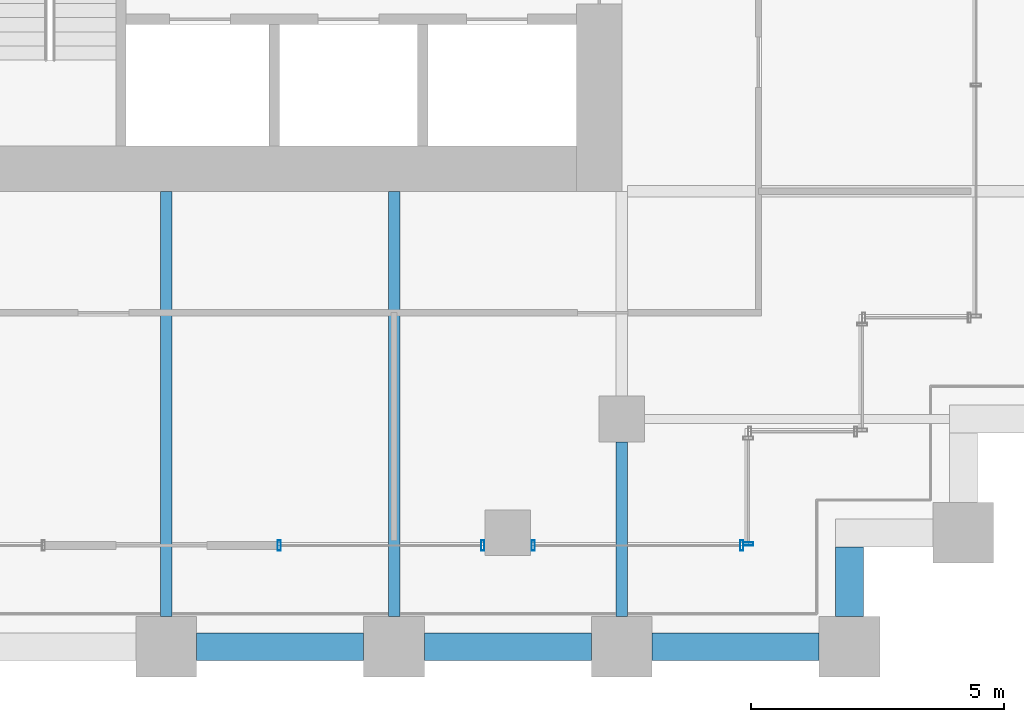
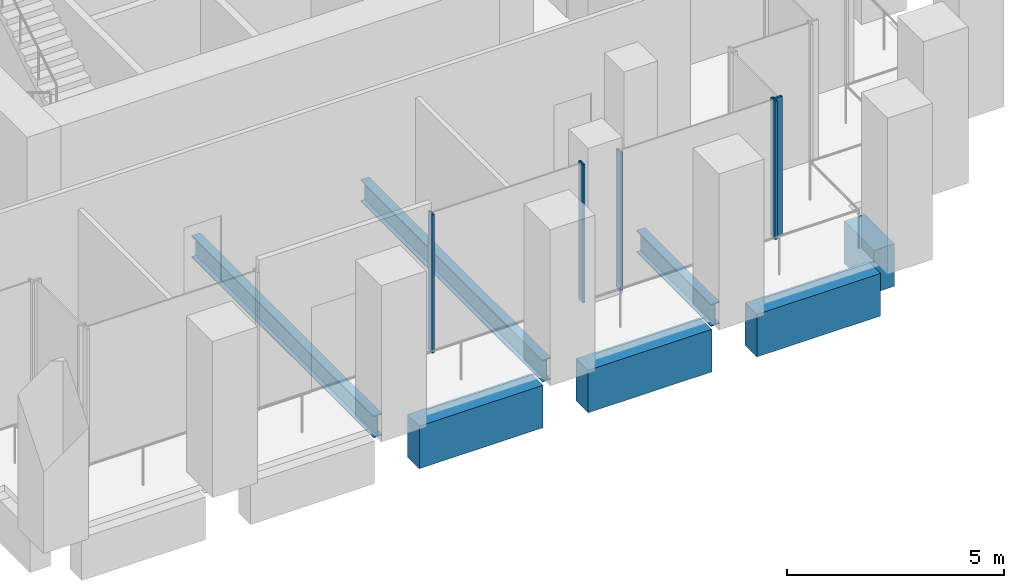
# One storey, part 21 of 36: 7 beams, 5 members, 3 elements without a shape of their own.
"""IFC4 building model written with IfcOpenShell, lengths in metres."""

from ifc_helpers import new_model, si_unit, direction, frame, origin, origin_2d, place, context, subcontext, project, spatial, rectangle, hollow_rectangle, i_section, extrude, material, material_profile, profile_set, type_object, element, aggregate, save


model = new_model("IFC4")

# Units and contexts
model_context = context("Model", 3, precision=1e-05, world=origin(), true_north=direction((0.0, 1.0)))
body_context = subcontext(model_context, "Body", "Model", "MODEL_VIEW")
ifc_project = project(units=[si_unit("LENGTHUNIT", "METRE"), si_unit("AREAUNIT", "SQUARE_METRE"), si_unit("VOLUMEUNIT", "CUBIC_METRE"), si_unit("PLANEANGLEUNIT", "RADIAN"), si_unit("MASSUNIT", "GRAM", prefix="KILO")], contexts=[model_context])

# Site, building, storey
site_placement = place(None, origin())
site = spatial("IfcSite", under=ifc_project, at=site_placement, CompositionType="ELEMENT")
building_placement = place(site_placement, origin())
building = spatial("IfcBuilding", under=site, at=building_placement, Name="Altepetl Exchange Towers", CompositionType="ELEMENT")
storey_placement = place(building_placement, frame((0.0, 0.0, 38.60009765625)))
storey = spatial("IfcBuildingStorey", under=building, at=storey_placement, Name="L08", CompositionType="ELEMENT", Elevation=38.60009765625)

# Beams
ifc_material_1 = material(Name="Steel S355", Category="steel")
ifc_material_profile_1 = material_profile(ifc_material_1, i_section(OverallWidth=0.22900390625, OverallDepth=0.612060546875, WebThickness=0.011962890625, FlangeThickness=0.01953125, at=origin_2d()), Name="W24X84")
ifc_profile_set_1 = profile_set([ifc_material_profile_1], Name="Steel S355")
beam_type_1 = type_object("IfcBeamType", Name="Floor beam W24X84", PredefinedType="BEAM", material=ifc_profile_set_1)
for number, where, z_axis, x_axis, name in (
    (1, (108.0, 27.60009765625, -0.481201171875), (0.0, 1.0, 0.0), (-1.0, 0.0, 0.0), "bm:B:L08:010"),
    (2, (112.5, 27.60009765625, -0.481201171875), (0.0, 1.0, 0.0), (-1.0, 0.0, 0.0), "bm:B:L08:011"),
):
    element("IfcBeam", number, at=place(storey_placement, frame(where, z_axis=z_axis, x_axis=x_axis)), inside=storey, type_object=beam_type_1, Name=name, PredefinedType="BEAM", context=body_context, shape_type="SweptSolid", body=[
        extrude(i_section(OverallWidth=0.22900390625, OverallDepth=0.612060546875, WebThickness=0.011962890625, FlangeThickness=0.01953125, at=origin_2d()), origin(), (0.0, 0.0, 1.0), 8.39990234375),
    ])
ifc_material_profile_2 = material_profile(ifc_material_1, i_section(OverallWidth=0.22900390625, OverallDepth=0.623046875, WebThickness=0.013916015625, FlangeThickness=0.02490234375, at=origin_2d()), Name="W24X103")
ifc_profile_set_2 = profile_set([ifc_material_profile_2], Name="Steel S355")
beam_type_2 = type_object("IfcBeamType", Name="Girder W24X103", PredefinedType="BEAM", material=ifc_profile_set_2)
beam_1_placement = place(storey_placement, frame((117.0, 31.050048828125, -0.486572265625), z_axis=(0.0, -1.0, 0.0), x_axis=(1.0, 0.0, 0.0)))
element("IfcBeam", 3, at=beam_1_placement, inside=storey, type_object=beam_type_2, Name="gd:B:L08:005", PredefinedType="BEAM", context=body_context, shape_type="SweptSolid", body=[
    extrude(i_section(OverallWidth=0.22900390625, OverallDepth=0.623046875, WebThickness=0.013916015625, FlangeThickness=0.02490234375, at=origin_2d()), origin(), (0.0, 0.0, 1.0), 3.449951171875),
])

# Curtain wall, members
ifc_material_2 = material(Name="Aluminium 6063-T6 glazing", Category="aluminium")
curtain_wall_type = type_object("IfcCurtainWallType", Name="Trading floor glazing system", PredefinedType="NOTDEFINED", material=ifc_material_2)
curtain_wall_1_placement = place(storey_placement, origin())
curtain_wall_1 = element("IfcCurtainWall", 4, at=curtain_wall_1_placement, inside=storey, type_object=curtain_wall_type, Name="CW2 run", PredefinedType="NOTDEFINED")
ifc_material_3 = material(Name="Aluminium 6063-T6", Category="aluminium")
ifc_material_profile_3 = material_profile(ifc_material_3, hollow_rectangle(XDim=0.06005859375, YDim=0.199951171875, WallThickness=0.0029296875, at=origin_2d()), Name="Mullion 60x200 aluminium")
ifc_profile_set_3 = profile_set([ifc_material_profile_3], Name="Aluminium 6063-T6")
member_type = type_object("IfcMemberType", Name="Mullion 60x200 aluminium", PredefinedType="MULLION", material=ifc_profile_set_3)
member_1_placement = place(storey_placement, frame((110.22998046875, 29.0, 0.0)))
member_1 = element("IfcMember", 5, at=member_1_placement, type_object=member_type, Name="MU2 mullion", PredefinedType="MULLION", context=body_context, shape_type="SweptSolid", body=[
    extrude(hollow_rectangle(XDim=0.06005859375, YDim=0.199951171875, WallThickness=0.0029296875, at=origin_2d()), origin(), (0.0, 0.0, 1.0), 3.89990234375),
])
member_2_placement = place(storey_placement, frame((114.25, 29.0, 0.0)))
member_2 = element("IfcMember", 6, at=member_2_placement, type_object=member_type, Name="MU2 mullion", PredefinedType="MULLION", context=body_context, shape_type="SweptSolid", body=[
    extrude(hollow_rectangle(XDim=0.06005859375, YDim=0.199951171875, WallThickness=0.0029296875, at=origin_2d()), origin(), (0.0, 0.0, 1.0), 3.89990234375),
])
aggregate(curtain_wall_1, [member_1, member_2])

curtain_wall_2_placement = place(storey_placement, origin())
curtain_wall_2 = element("IfcCurtainWall", 7, at=curtain_wall_2_placement, inside=storey, type_object=curtain_wall_type, Name="CW2 run", PredefinedType="NOTDEFINED")
member_3_placement = place(storey_placement, frame((115.25, 29.0, 0.0)))
member_3 = element("IfcMember", 8, at=member_3_placement, type_object=member_type, Name="MU2 mullion", PredefinedType="MULLION", context=body_context, shape_type="SweptSolid", body=[
    extrude(hollow_rectangle(XDim=0.06005859375, YDim=0.199951171875, WallThickness=0.0029296875, at=origin_2d()), origin(), (0.0, 0.0, 1.0), 3.89990234375),
])
member_4_placement = place(storey_placement, frame((119.3701171875, 29.0, 0.0)))
member_4 = element("IfcMember", 9, at=member_4_placement, type_object=member_type, Name="MU2 mullion", PredefinedType="MULLION", context=body_context, shape_type="SweptSolid", body=[
    extrude(hollow_rectangle(XDim=0.06005859375, YDim=0.199951171875, WallThickness=0.0029296875, at=origin_2d()), origin(), (0.0, 0.0, 1.0), 3.89990234375),
])
aggregate(curtain_wall_2, [member_3, member_4])

# Curtain wall, member
curtain_wall_3_placement = place(storey_placement, origin())
curtain_wall_3 = element("IfcCurtainWall", 10, at=curtain_wall_3_placement, inside=storey, type_object=curtain_wall_type, Name="CW2 run", PredefinedType="NOTDEFINED")
member_5_placement = place(storey_placement, frame((119.5, 29.030029296875, 0.0), z_axis=(0.0, 0.0, 1.0), x_axis=(0.0, 1.0, 0.0)))
member_5 = element("IfcMember", 11, at=member_5_placement, type_object=member_type, Name="MU2 mullion", PredefinedType="MULLION", context=body_context, shape_type="SweptSolid", body=[
    extrude(hollow_rectangle(XDim=0.06005859375, YDim=0.199951171875, WallThickness=0.0029296875, at=origin_2d()), origin(), (0.0, 0.0, 1.0), 3.89990234375),
])
aggregate(curtain_wall_3, [member_5])

# Beams
ifc_material_4 = material(Name="Concrete C50/60 precast with cantera blanca facing", Category="concrete")
ifc_material_profile_4 = material_profile(ifc_material_4, rectangle(XDim=0.550048828125, YDim=1.199951171875, at=origin_2d()), Name="550 x 1200")
ifc_profile_set_4 = profile_set([ifc_material_profile_4], Name="Concrete C50/60 precast with cantera blanca facing")
beam_type_3 = type_object("IfcBeamType", Name="Spandrel beam 550x1200 cantera blanca", PredefinedType="SPANDREL", material=ifc_profile_set_4)
beam_2_placement = place(storey_placement, frame((117.60009765625, 27.0, -0.775146484375), z_axis=(1.0, 0.0, 0.0), x_axis=(0.0, 1.0, 0.0)))
element("IfcBeam", 12, at=beam_2_placement, inside=storey, type_object=beam_type_3, Name="sp:B:L08:004", PredefinedType="SPANDREL", context=body_context, shape_type="SweptSolid", body=[
    extrude(rectangle(XDim=0.550048828125, YDim=1.199951171875, at=origin_2d()), origin(), (0.0, 0.0, 1.0), 3.2998046875),
])
beam_3_placement = place(storey_placement, frame((121.5, 27.60009765625, -0.775146484375), z_axis=(0.0, 1.0, 0.0), x_axis=(-1.0, 0.0, 0.0)))
element("IfcBeam", 13, at=beam_3_placement, inside=storey, type_object=beam_type_3, Name="sp:B:L08:005", PredefinedType="SPANDREL", context=body_context, shape_type="SweptSolid", body=[
    extrude(rectangle(XDim=0.550048828125, YDim=1.199951171875, at=origin_2d()), origin(), (0.0, 0.0, 1.0), 1.375),
])
ifc_material_5 = material(Name="Concrete C50/60 precast with tezontle facing", Category="concrete")
ifc_material_profile_5 = material_profile(ifc_material_5, rectangle(XDim=0.550048828125, YDim=1.199951171875, at=origin_2d()), Name="550 x 1200")
ifc_profile_set_5 = profile_set([ifc_material_profile_5], Name="Concrete C50/60 precast with tezontle facing")
beam_type_4 = type_object("IfcBeamType", Name="Spandrel beam 550x1200 tezontle", PredefinedType="SPANDREL", material=ifc_profile_set_5)
for number, where, z_axis, x_axis, name in (
    (14, (108.60009765625, 27.0, -0.775146484375), (1.0, 0.0, 0.0), (0.0, 1.0, 0.0), "sp:B:L08:002"),
    (15, (113.10009765625, 27.0, -0.775146484375), (1.0, 0.0, 0.0), (0.0, 1.0, 0.0), "sp:B:L08:003"),
):
    element("IfcBeam", number, at=place(storey_placement, frame(where, z_axis=z_axis, x_axis=x_axis)), inside=storey, type_object=beam_type_4, Name=name, PredefinedType="SPANDREL", context=body_context, shape_type="SweptSolid", body=[
        extrude(rectangle(XDim=0.550048828125, YDim=1.199951171875, at=origin_2d()), origin(), (0.0, 0.0, 1.0), 3.2998046875),
    ])

save(model, "model.ifc")
